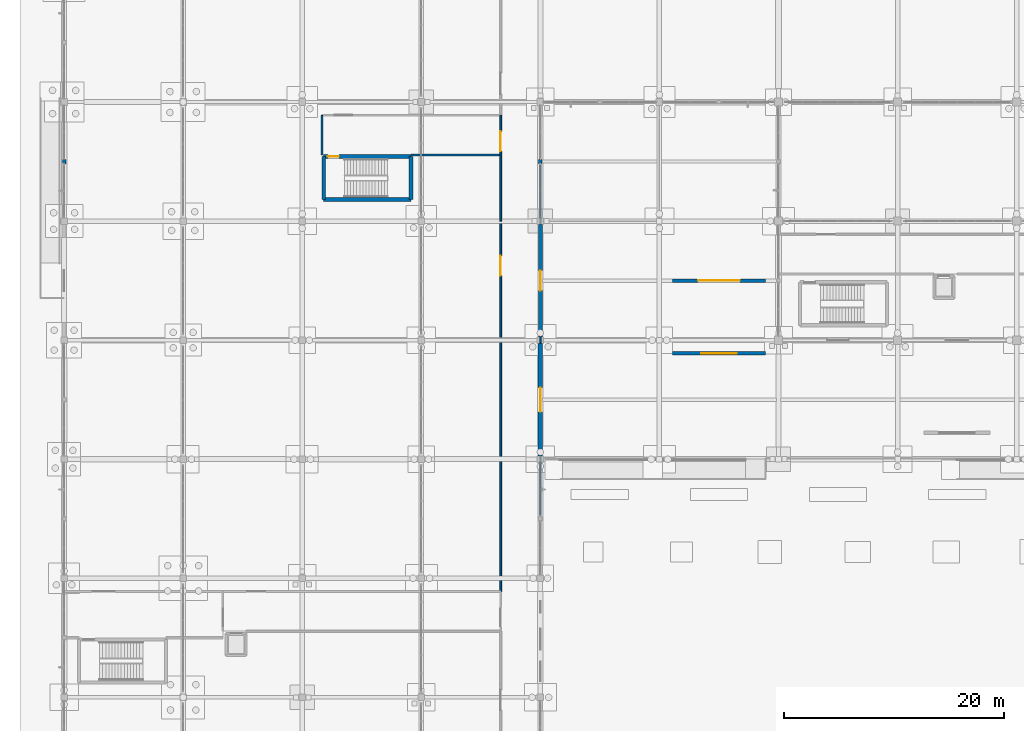
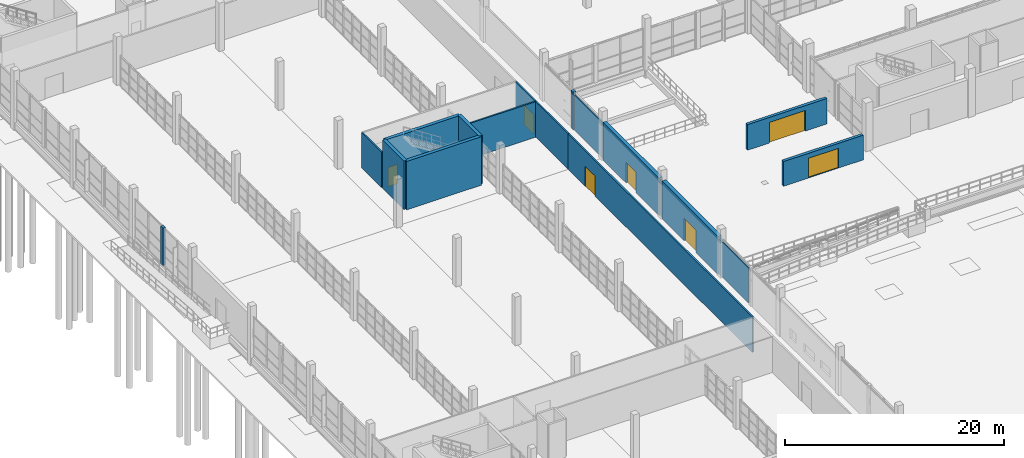
# One storey, part 99 of 138: 18 walls, 7 doors, 7 openings.
"""IFC4 building model written with IfcOpenShell, lengths in metres."""

from ifc_helpers import new_model, si_unit, direction, frame, frame_2d, origin, place, context, subcontext, project, spatial, rectangle, extrude, material, layer, layer_set, type_object, element, fill, save


model = new_model("IFC4")

# Units and contexts
model_context = context("Model", 3, precision=1e-05, world=origin(), true_north=direction((0.0, 1.0)))
body_context = subcontext(model_context, "Body", "Model", "MODEL_VIEW")
ifc_project = project(units=[si_unit("LENGTHUNIT", "METRE"), si_unit("AREAUNIT", "SQUARE_METRE"), si_unit("VOLUMEUNIT", "CUBIC_METRE"), si_unit("PLANEANGLEUNIT", "RADIAN"), si_unit("MASSUNIT", "GRAM", prefix="KILO")], contexts=[model_context])

# Site, building, storey
site_placement = place(None, origin())
site = spatial("IfcSite", under=ifc_project, at=site_placement, CompositionType="ELEMENT")
building_placement = place(site_placement, origin())
building = spatial("IfcBuilding", under=site, at=building_placement, Name="Zwinboog Wholesale Market", CompositionType="ELEMENT")
storey_placement = place(building_placement, origin())
storey = spatial("IfcBuildingStorey", under=building, at=storey_placement, Name="L00", CompositionType="ELEMENT", Elevation=0.0)

# Wall, opening, door
ifc_material_1 = material(Name="Precast concrete C45/55", Category="concrete")
ifc_layer_1 = layer(ifc_material_1, 0.3701171875)
ifc_layer_set_1 = layer_set([ifc_layer_1], Name="Precast concrete C45/55")
wall_type_1 = type_object("IfcWallType", Name="WT-EW-370", PredefinedType="STANDARD", material=ifc_layer_set_1)
wall_1_placement = place(storey_placement, frame((43.199951171875, 43.4951171875, 0.0), z_axis=(0.0, 0.0, 1.0), x_axis=(0.0, 1.0, 0.0)))
wall_1 = element("IfcWall", 1, at=wall_1_placement, inside=storey, type_object=wall_type_1, Name="EW-01 (WL-EW-L00-024)", PredefinedType="STANDARD", context=body_context, shape_type="SweptSolid", body=[
    extrude(rectangle(XDim=10.2099609375, YDim=0.3701171875, at=frame_2d((5.10498046875, 0.0))), origin(), (0.0, 0.0, 1.0), 4.197998046875),
])
opening_1_placement = place(wall_1_placement, frame((4.205078125, 0.0, 0.0)))
opening_1 = element("IfcOpeningElement", 2, at=opening_1_placement, cuts=wall_1, Name="Opening EX-04", PredefinedType="OPENING", context=body_context, shape_type="SweptSolid", body=[
    extrude(rectangle(XDim=1.800048828125, YDim=2.300048828125, at=frame_2d((0.89990234375, 1.14990234375))), frame((0.0, 0.195068359375, 0.0), z_axis=(0.0, -1.0, 0.0), x_axis=(1.0, 0.0, 0.0)), (0.0, 0.0, 1.0), 0.39013671875),
])
ifc_material_2 = material(Name="Insulated powder-coated steel and aluminium door", Category="steel")
door_type_1 = type_object("IfcDoorType", Name="EDT-EX-180", OperationType="DOUBLE_DOOR_SINGLE_SWING", PredefinedType="DOOR", material=ifc_material_2)
door_1_placement = place(opening_1_placement, frame((1.800048828125, 0.0, 0.0), z_axis=(0.0, 0.0, 1.0), x_axis=(-1.0, 0.0, 0.0)))
door_1 = element("IfcDoor", 3, at=door_1_placement, inside=storey, type_object=door_type_1, Name="Pedestrian Exit Door EX-04", OperationType="DOUBLE_DOOR_SINGLE_SWING", OverallHeight=2.300048828125, OverallWidth=1.800048828125, PredefinedType="DOOR", context=body_context, shape_type="SweptSolid", body=[
    extrude(rectangle(XDim=1.800048828125, YDim=2.300048828125, at=frame_2d((0.89990234375, 1.14990234375))), frame((0.0, 0.02490234375, 0.0), z_axis=(0.0, -1.0, 0.0), x_axis=(1.0, 0.0, 0.0)), (0.0, 0.0, 1.0), 0.050048828125),
])
fill(opening_1, door_1)

ifc_layer_2 = layer(ifc_material_1, 0.389892578125)
ifc_layer_set_2 = layer_set([ifc_layer_2], Name="Precast concrete C45/55")
wall_type_2 = type_object("IfcWallType", Name="WT-EW-390", PredefinedType="STANDARD", material=ifc_layer_set_2)
wall_2_placement = place(storey_placement, frame((43.199951171875, 32.695068359375, 0.0), z_axis=(0.0, 0.0, 1.0), x_axis=(0.0, 1.0, 0.0)))
wall_2 = element("IfcWall", 4, at=wall_2_placement, inside=storey, type_object=wall_type_2, Name="EW-02 (WL-EW-L00-023)", PredefinedType="STANDARD", context=body_context, shape_type="SweptSolid", body=[
    extrude(rectangle(XDim=10.2099609375, YDim=0.389892578125, at=frame_2d((5.10498046875, 0.0))), origin(), (0.0, 0.0, 1.0), 4.22509765625),
])
opening_2_placement = place(wall_2_placement, frame((4.0048828125, 0.0, 0.0)))
opening_2 = element("IfcOpeningElement", 5, at=opening_2_placement, cuts=wall_2, Name="Opening EX-03", PredefinedType="OPENING", context=body_context, shape_type="SweptSolid", body=[
    extrude(rectangle(XDim=2.199951171875, YDim=2.47998046875, at=frame_2d((1.10009765625, 1.239990234375))), frame((0.0, 0.204833984375, 0.0), z_axis=(0.0, -1.0, 0.0), x_axis=(1.0, 0.0, 0.0)), (0.0, 0.0, 1.0), 0.409912109375),
])
door_type_2 = type_object("IfcDoorType", Name="EDT-EX-220", OperationType="DOUBLE_DOOR_SINGLE_SWING", PredefinedType="DOOR", material=ifc_material_2)
door_2_placement = place(opening_2_placement, frame((2.199951171875, 0.0, 0.0), z_axis=(0.0, 0.0, 1.0), x_axis=(-1.0, 0.0, 0.0)))
door_2 = element("IfcDoor", 6, at=door_2_placement, inside=storey, type_object=door_type_2, Name="Pedestrian Exit Door EX-03", OperationType="DOUBLE_DOOR_SINGLE_SWING", OverallHeight=2.47998046875, OverallWidth=2.199951171875, PredefinedType="DOOR", context=body_context, shape_type="SweptSolid", body=[
    extrude(rectangle(XDim=2.199951171875, YDim=2.47998046875, at=frame_2d((1.10009765625, 1.239990234375))), frame((0.0, 0.02490234375, 0.0), z_axis=(0.0, -1.0, 0.0), x_axis=(1.0, 0.0, 0.0)), (0.0, 0.0, 1.0), 0.050048828125),
])
fill(opening_2, door_2)

# Walls
ifc_layer_3 = layer(ifc_material_1, 0.304931640625)
ifc_layer_set_3 = layer_set([ifc_layer_3], Name="Precast concrete C45/55")
wall_type_3 = type_object("IfcWallType", Name="WT-EW-305", PredefinedType="STANDARD", material=ifc_layer_set_3)
for number, where, z_axis, x_axis, name in (
    (7, (0.0, 59.199951171875, 0.0), (0.0, 0.0, 1.0), (0.0, 1.0, 0.0), "EW-07 (WL-PIER-L00-007)"),
    (8, (43.199951171875, 59.199951171875, 0.0), (0.0, 0.0, 1.0), (0.0, 1.0, 0.0), "EW-07 (WL-PIER-L00-025)"),
):
    element("IfcWall", number, at=place(storey_placement, frame(where, z_axis=z_axis, x_axis=x_axis)), inside=storey, type_object=wall_type_3, Name=name, PredefinedType="STANDARD", context=body_context, shape_type="SweptSolid", body=[
        extrude(rectangle(XDim=0.400146484375, YDim=0.304931640625, at=frame_2d((0.2001953125, 0.0))), origin(), (0.0, 0.0, 1.0), 4.197998046875),
    ])

# Wall, opening, door
wall_3_placement = place(storey_placement, frame((55.199951171875, 42.0, 0.0), z_axis=(0.0, 0.0, 1.0), x_axis=(1.0, 0.0, 0.0)))
wall_3 = element("IfcWall", 9, at=wall_3_placement, inside=storey, type_object=wall_type_3, Name="EW-07 (WL-YGT-01)", PredefinedType="STANDARD", context=body_context, shape_type="SweptSolid", body=[
    extrude(rectangle(XDim=8.400146484375, YDim=0.304931640625, at=frame_2d((4.2001953125, 0.0))), origin(), (0.0, 0.0, 1.0), 2.75),
])
opening_3_placement = place(wall_3_placement, frame((2.60009765625, 0.0, 0.0)))
opening_3 = element("IfcOpeningElement", 10, at=opening_3_placement, cuts=wall_3, Name="Opening GT-01", PredefinedType="OPENING", context=body_context, shape_type="SweptSolid", body=[
    extrude(rectangle(XDim=3.199951171875, YDim=2.199951171875, at=frame_2d((1.60009765625, 1.10009765625))), frame((0.0, 0.162353515625, 0.0), z_axis=(0.0, -1.0, 0.0), x_axis=(1.0, 0.0, 0.0)), (0.0, 0.0, 1.0), 0.324951171875),
])
door_type_3 = type_object("IfcDoorType", Name="EDT-GT-320", OperationType="DOUBLE_DOOR_SINGLE_SWING", PredefinedType="GATE", material=ifc_material_2)
door_3_placement = place(opening_3_placement, origin())
door_3 = element("IfcDoor", 11, at=door_3_placement, inside=storey, type_object=door_type_3, Name="Park Deck Market Gate GT-01", OperationType="DOUBLE_DOOR_SINGLE_SWING", OverallHeight=2.199951171875, OverallWidth=3.199951171875, PredefinedType="GATE", context=body_context, shape_type="SweptSolid", body=[
    extrude(rectangle(XDim=3.199951171875, YDim=2.199951171875, at=frame_2d((1.60009765625, 1.10009765625))), frame((0.0, 0.02490234375, 0.0), z_axis=(0.0, -1.0, 0.0), x_axis=(1.0, 0.0, 0.0)), (0.0, 0.0, 1.0), 0.050048828125),
])
fill(opening_3, door_3)

wall_4_placement = place(storey_placement, frame((55.199951171875, 48.60009765625, 0.0), z_axis=(0.0, 0.0, 1.0), x_axis=(1.0, 0.0, 0.0)))
wall_4 = element("IfcWall", 12, at=wall_4_placement, inside=storey, type_object=wall_type_3, Name="EW-07 (WL-YGT-02)", PredefinedType="STANDARD", context=body_context, shape_type="SweptSolid", body=[
    extrude(rectangle(XDim=8.400146484375, YDim=0.304931640625, at=frame_2d((4.2001953125, 0.0))), origin(), (0.0, 0.0, 1.0), 2.85009765625),
])
opening_4_placement = place(wall_4_placement, frame((2.300048828125, 0.0, 0.0)))
opening_4 = element("IfcOpeningElement", 13, at=opening_4_placement, cuts=wall_4, Name="Opening GT-02", PredefinedType="OPENING", context=body_context, shape_type="SweptSolid", body=[
    extrude(rectangle(XDim=3.800048828125, YDim=2.300048828125, at=frame_2d((1.89990234375, 1.14990234375))), frame((0.0, 0.162353515625, 0.0), z_axis=(0.0, -1.0, 0.0), x_axis=(1.0, 0.0, 0.0)), (0.0, 0.0, 1.0), 0.324951171875),
])
door_type_4 = type_object("IfcDoorType", Name="EDT-GT-380", OperationType="DOUBLE_DOOR_SINGLE_SWING", PredefinedType="GATE", material=ifc_material_2)
door_4_placement = place(opening_4_placement, origin())
door_4 = element("IfcDoor", 14, at=door_4_placement, inside=storey, type_object=door_type_4, Name="Park Deck Market Gate GT-02", OperationType="DOUBLE_DOOR_SINGLE_SWING", OverallHeight=2.300048828125, OverallWidth=3.800048828125, PredefinedType="GATE", context=body_context, shape_type="SweptSolid", body=[
    extrude(rectangle(XDim=3.800048828125, YDim=2.300048828125, at=frame_2d((1.89990234375, 1.14990234375))), frame((0.0, 0.02490234375, 0.0), z_axis=(0.0, -1.0, 0.0), x_axis=(1.0, 0.0, 0.0)), (0.0, 0.0, 1.0), 0.050048828125),
])
fill(opening_4, door_4)

# Wall
ifc_material_3 = material(Name="Concrete C40/50", Category="concrete")
ifc_layer_4 = layer(ifc_material_3, 0.35009765625)
ifc_layer_set_4 = layer_set([ifc_layer_4], Name="Concrete C40/50")
wall_type_4 = type_object("IfcWallType", Name="WT-SW-350", PredefinedType="SHEAR", material=ifc_layer_set_4)
wall_5_placement = place(storey_placement, frame((23.550048828125, 55.949951171875, 0.0), z_axis=(0.0, 0.0, 1.0), x_axis=(1.0, 0.0, 0.0)))
element("IfcWall", 15, at=wall_5_placement, inside=storey, type_object=wall_type_4, Name="SW-04 (WL-SW-L00-161)", PredefinedType="SHEAR", context=body_context, shape_type="SweptSolid", body=[
    extrude(rectangle(XDim=7.89990234375, YDim=0.35009765625, at=frame_2d((3.949951171875, 0.0))), origin(), (0.0, 0.0, 1.0), 5.39990234375),
])

# Wall, opening, door
wall_6_placement = place(storey_placement, frame((23.550048828125, 59.85009765625, 0.0), z_axis=(0.0, 0.0, 1.0), x_axis=(1.0, 0.0, 0.0)))
wall_6 = element("IfcWall", 16, at=wall_6_placement, inside=storey, type_object=wall_type_4, Name="SW-04 (WL-SW-L00-162)", PredefinedType="SHEAR", context=body_context, shape_type="SweptSolid", body=[
    extrude(rectangle(XDim=7.89990234375, YDim=0.35009765625, at=frame_2d((3.949951171875, 0.0))), origin(), (0.0, 0.0, 1.0), 5.39990234375),
])
opening_5_placement = place(wall_6_placement, frame((0.3798828125, 0.0, 0.0)))
opening_5 = element("IfcOpeningElement", 17, at=opening_5_placement, cuts=wall_6, Name="Opening FD-0041", PredefinedType="OPENING", context=body_context, shape_type="SweptSolid", body=[
    extrude(rectangle(XDim=1.0, YDim=2.14990234375, at=frame_2d((0.5, 1.074951171875))), frame((0.0, 0.18505859375, 0.0), z_axis=(0.0, -1.0, 0.0), x_axis=(1.0, 0.0, 0.0)), (0.0, 0.0, 1.0), 0.3701171875),
])
ifc_material_4 = material(Name="Timber and powder-coated steel door leaf", Category="steel")
door_type_5 = type_object("IfcDoorType", Name="IDT-FD-01", OperationType="NOTDEFINED", PredefinedType="DOOR", material=ifc_material_4)
door_5_placement = place(opening_5_placement, frame((1.0, 0.0, 0.0), z_axis=(0.0, 0.0, 1.0), x_axis=(-1.0, 0.0, 0.0)))
door_5 = element("IfcDoor", 18, at=door_5_placement, inside=storey, type_object=door_type_5, Name="Core Fire Door FD-0041", OperationType="SINGLE_SWING_RIGHT", OverallHeight=2.14990234375, OverallWidth=1.0, PredefinedType="DOOR", context=body_context, shape_type="SweptSolid", body=[
    extrude(rectangle(XDim=1.0, YDim=2.14990234375, at=frame_2d((0.5, 1.074951171875))), frame((0.0, 0.02490234375, 0.0), z_axis=(0.0, -1.0, 0.0), x_axis=(1.0, 0.0, 0.0)), (0.0, 0.0, 1.0), 0.050048828125),
])
fill(opening_5, door_5)

# Walls
for number, where, z_axis, x_axis, name in (
    (19, (23.550048828125, 55.949951171875, 0.0), (0.0, 0.0, 1.0), (0.0, 1.0, 0.0), "SW-04 (WL-SW-L00-163)"),
    (20, (31.449951171875, 55.949951171875, 0.0), (0.0, 0.0, 1.0), (0.0, 1.0, 0.0), "SW-04 (WL-SW-L00-164)"),
):
    element("IfcWall", number, at=place(storey_placement, frame(where, z_axis=z_axis, x_axis=x_axis)), inside=storey, type_object=wall_type_4, Name=name, PredefinedType="SHEAR", context=body_context, shape_type="SweptSolid", body=[
        extrude(rectangle(XDim=3.900146484375, YDim=0.35009765625, at=frame_2d((1.9501953125, 0.0))), origin(), (0.0, 0.0, 1.0), 5.39990234375),
    ])

# Wall, opening, door
ifc_material_5 = material(Name="Fire-rated corridor stud partition")
ifc_layer_5 = layer(ifc_material_5, 0.154052734375)
ifc_layer_set_5 = layer_set([ifc_layer_5], Name="Fire-rated corridor stud partition")
wall_type_5 = type_object("IfcWallType", Name="WT-PT-154", PredefinedType="PARTITIONING", material=ifc_layer_set_5)
wall_7_placement = place(storey_placement, frame((39.60009765625, 60.0, 0.0), z_axis=(0.0, 0.0, 1.0), x_axis=(0.0, 1.0, 0.0)))
wall_7 = element("IfcWall", 21, at=wall_7_placement, inside=storey, type_object=wall_type_5, Name="PW-04 (WL-IN-L00-0003)", PredefinedType="PARTITIONING", context=body_context, shape_type="SweptSolid", body=[
    extrude(rectangle(XDim=3.60009765625, YDim=0.154052734375, at=frame_2d((1.800048828125, 0.0))), origin(), (0.0, 0.0, 1.0), 3.949951171875),
])
opening_6_placement = place(wall_7_placement, frame((0.35009765625, 0.0, 0.0)))
opening_6 = element("IfcOpeningElement", 22, at=opening_6_placement, cuts=wall_7, Name="Opening IDF-0003", PredefinedType="OPENING", context=body_context, shape_type="SweptSolid", body=[
    extrude(rectangle(XDim=1.820068359375, YDim=2.25, at=frame_2d((0.91015625, 1.125))), frame((0.0, 0.0869140625, 0.0), z_axis=(0.0, -1.0, 0.0), x_axis=(1.0, 0.0, 0.0)), (0.0, 0.0, 1.0), 0.174072265625),
])
door_type_6 = type_object("IfcDoorType", Name="IDT-FD-04", OperationType="DOUBLE_DOOR_SINGLE_SWING", PredefinedType="DOOR", material=ifc_material_4)
door_6_placement = place(opening_6_placement, frame((1.820068359375, 0.0, 0.0), z_axis=(0.0, 0.0, 1.0), x_axis=(-1.0, 0.0, 0.0)))
door_6 = element("IfcDoor", 23, at=door_6_placement, inside=storey, type_object=door_type_6, Name="Interior Door IDF-0003", OperationType="DOUBLE_DOOR_SINGLE_SWING", OverallHeight=2.25, OverallWidth=1.820068359375, PredefinedType="DOOR", context=body_context, shape_type="SweptSolid", body=[
    extrude(rectangle(XDim=1.820068359375, YDim=2.25, at=frame_2d((0.91015625, 1.125))), frame((0.0, 0.02490234375, 0.0), z_axis=(0.0, -1.0, 0.0), x_axis=(1.0, 0.0, 0.0)), (0.0, 0.0, 1.0), 0.050048828125),
])
fill(opening_6, door_6)

# Walls
wall_8_placement = place(storey_placement, frame((23.39990234375, 60.0, 0.0), z_axis=(0.0, 0.0, 1.0), x_axis=(0.0, 1.0, 0.0)))
element("IfcWall", 24, at=wall_8_placement, inside=storey, type_object=wall_type_5, Name="PW-04 (WL-IN-L00-0049)", PredefinedType="PARTITIONING", context=body_context, shape_type="SweptSolid", body=[
    extrude(rectangle(XDim=3.60009765625, YDim=0.154052734375, at=frame_2d((1.800048828125, 0.0))), origin(), (0.0, 0.0, 1.0), 3.949951171875),
])
wall_9_placement = place(storey_placement, frame((39.60009765625, 54.0, 0.0), z_axis=(0.0, 0.0, 1.0), x_axis=(0.0, 1.0, 0.0)))
element("IfcWall", 25, at=wall_9_placement, inside=storey, type_object=wall_type_5, Name="PW-04 (WL-IN-L00-0059)", PredefinedType="PARTITIONING", context=body_context, shape_type="SweptSolid", body=[
    extrude(rectangle(XDim=6.0, YDim=0.154052734375, at=frame_2d((3.0, 0.0))), origin(), (0.0, 0.0, 1.0), 3.949951171875),
])
wall_10_placement = place(storey_placement, frame((43.199951171875, 27.3525390625, 0.0), z_axis=(0.0, 0.0, 1.0), x_axis=(0.0, 1.0, 0.0)))
element("IfcWall", 26, at=wall_10_placement, inside=storey, type_object=wall_type_5, Name="PW-04 (WL-IN-L00-0064)", PredefinedType="PARTITIONING", context=body_context, shape_type="SweptSolid", body=[
    extrude(rectangle(XDim=5.322509765625, YDim=0.154052734375, at=frame_2d((2.6611328125, 0.0))), origin(), (0.0, 0.0, 1.0), 3.949951171875),
])
wall_11_placement = place(storey_placement, frame((43.199951171875, 42.925048828125, 0.0), z_axis=(0.0, 0.0, 1.0), x_axis=(0.0, 1.0, 0.0)))
element("IfcWall", 27, at=wall_11_placement, inside=storey, type_object=wall_type_5, Name="PW-04 (WL-IN-L00-0065)", PredefinedType="PARTITIONING", context=body_context, shape_type="SweptSolid", body=[
    extrude(rectangle(XDim=0.550048828125, YDim=0.154052734375, at=frame_2d((0.27490234375, 0.0))), origin(), (0.0, 0.0, 1.0), 3.949951171875),
])
wall_12_placement = place(storey_placement, frame((43.199951171875, 53.72509765625, 0.0), z_axis=(0.0, 0.0, 1.0), x_axis=(0.0, 1.0, 0.0)))
element("IfcWall", 28, at=wall_12_placement, inside=storey, type_object=wall_type_5, Name="PW-04 (WL-IN-L00-0066)", PredefinedType="PARTITIONING", context=body_context, shape_type="SweptSolid", body=[
    extrude(rectangle(XDim=5.322509765625, YDim=0.154052734375, at=frame_2d((2.6611328125, 0.0))), origin(), (0.0, 0.0, 1.0), 3.949951171875),
])

# Wall, opening, door
ifc_material_6 = material(Name="Laboratory acoustic partition")
ifc_layer_6 = layer(ifc_material_6, 0.16796875)
ifc_layer_set_6 = layer_set([ifc_layer_6], Name="Laboratory acoustic partition")
wall_type_6 = type_object("IfcWallType", Name="WT-PT-168", PredefinedType="PARTITIONING", material=ifc_layer_set_6)
wall_13_placement = place(storey_placement, frame((39.60009765625, 20.39990234375, 0.0), z_axis=(0.0, 0.0, 1.0), x_axis=(0.0, 1.0, 0.0)))
wall_13 = element("IfcWall", 29, at=wall_13_placement, inside=storey, type_object=wall_type_6, Name="PW-05 (WL-IN-L00-0016)", PredefinedType="PARTITIONING", context=body_context, shape_type="SweptSolid", body=[
    extrude(rectangle(XDim=33.60009765625, YDim=0.16796875, at=frame_2d((16.800048828125, 0.0))), origin(), (0.0, 0.0, 1.0), 3.949951171875),
])
opening_7_placement = place(wall_13_placement, frame((28.657958984375, 0.0, 0.0)))
opening_7 = element("IfcOpeningElement", 30, at=opening_7_placement, cuts=wall_13, Name="Opening IDF-0016", PredefinedType="OPENING", context=body_context, shape_type="SweptSolid", body=[
    extrude(rectangle(XDim=1.820068359375, YDim=2.25, at=frame_2d((0.91015625, 1.125))), frame((0.0, 0.093994140625, 0.0), z_axis=(0.0, -1.0, 0.0), x_axis=(1.0, 0.0, 0.0)), (0.0, 0.0, 1.0), 0.18798828125),
])
door_7_placement = place(opening_7_placement, origin())
door_7 = element("IfcDoor", 31, at=door_7_placement, inside=storey, type_object=door_type_6, Name="Interior Door IDF-0016", OperationType="DOUBLE_DOOR_SINGLE_SWING", OverallHeight=2.25, OverallWidth=1.820068359375, PredefinedType="DOOR", context=body_context, shape_type="SweptSolid", body=[
    extrude(rectangle(XDim=1.820068359375, YDim=2.25, at=frame_2d((0.91015625, 1.125))), frame((0.0, 0.02490234375, 0.0), z_axis=(0.0, -1.0, 0.0), x_axis=(1.0, 0.0, 0.0)), (0.0, 0.0, 1.0), 0.050048828125),
])
fill(opening_7, door_7)

# Wall
wall_14_placement = place(storey_placement, frame((31.469970703125, 60.0, 0.0), z_axis=(0.0, 0.0, 1.0), x_axis=(1.0, 0.0, 0.0)))
element("IfcWall", 32, at=wall_14_placement, inside=storey, type_object=wall_type_6, Name="PW-05 (WL-IN-L00-0048)", PredefinedType="PARTITIONING", context=body_context, shape_type="SweptSolid", body=[
    extrude(rectangle(XDim=8.130126953125, YDim=0.16796875, at=frame_2d((4.06494140625, 0.0))), origin(), (0.0, 0.0, 1.0), 3.949951171875),
])

save(model, "model.ifc")
